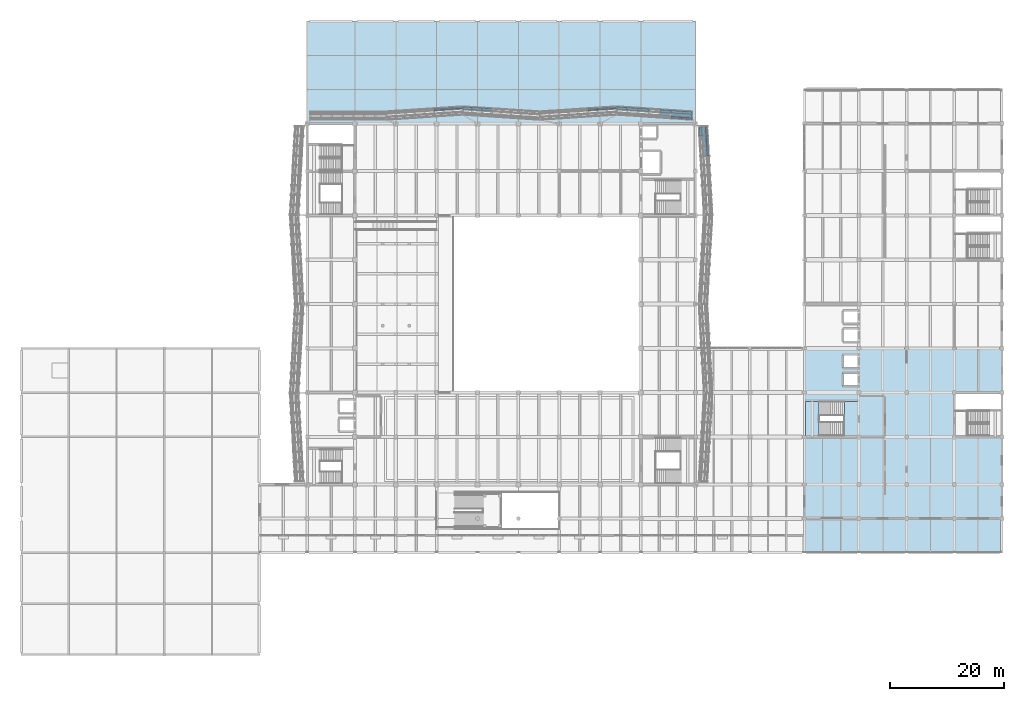
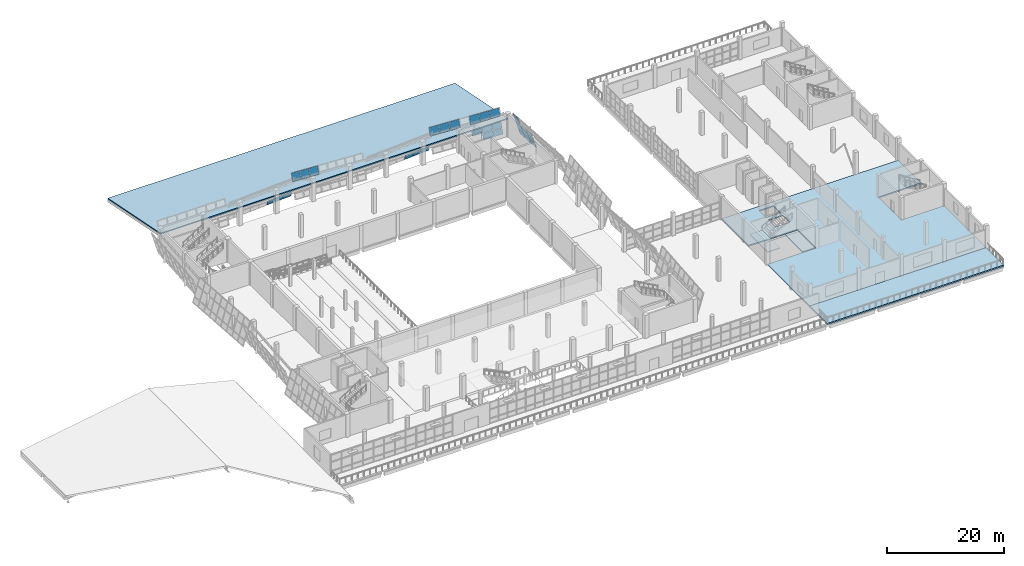
# One storey, part 57 of 79: 27 plates, 5 slabs, 6 elements without a shape of their own.
"""IFC4 building model written with IfcOpenShell, lengths in metres."""

from ifc_helpers import new_model, si_unit, direction, frame, origin, place, context, subcontext, project, spatial, polyline, outline, extrude, material, layer, layer_set, type_object, element, aggregate, save


model = new_model("IFC4")

# Units and contexts
model_context = context("Model", 3, precision=1e-05, world=origin(), true_north=direction((0.0, 1.0)))
body_context = subcontext(model_context, "Body", "Model", "MODEL_VIEW")
ifc_project = project(units=[si_unit("LENGTHUNIT", "METRE"), si_unit("AREAUNIT", "SQUARE_METRE"), si_unit("VOLUMEUNIT", "CUBIC_METRE"), si_unit("PLANEANGLEUNIT", "RADIAN"), si_unit("MASSUNIT", "GRAM", prefix="KILO")], contexts=[model_context])

# Site, building, storey
site_placement = place(None, origin())
site = spatial("IfcSite", under=ifc_project, at=site_placement, CompositionType="ELEMENT")
building_placement = place(site_placement, origin())
building = spatial("IfcBuilding", under=site, at=building_placement, Name="Pellamere Symphony Hall", CompositionType="ELEMENT")
storey_placement = place(building_placement, frame((0.0, 0.0, 10.199951171875)))
storey = spatial("IfcBuildingStorey", under=building, at=storey_placement, Name="L02", CompositionType="ELEMENT", Elevation=10.199951171875)

# Curtain wall, plates
ifc_material_1 = material(Name="Thermally Broken Anodised Aluminium 6063-T6 Curtain Wall", Category="aluminium")
curtain_wall_type = type_object("IfcCurtainWallType", Name="Curtain Wall CW-01 (Tilted Faceted Crystal Low-Iron Curtain Wall)", PredefinedType="NOTDEFINED", material=ifc_material_1)
curtain_wall_1_placement = place(storey_placement, origin())
curtain_wall_1 = element("IfcCurtainWall", 1, at=curtain_wall_1_placement, inside=storey, type_object=curtain_wall_type, Name="Crystal Faceted Curtain Wall CW-CR09 (L02)", PredefinedType="NOTDEFINED")
ifc_material_2 = material(Name="Triple Laminated Acoustic Crystal Glazing 42mm", Category="glass")
ifc_layer_1 = layer(ifc_material_2, 0.0419921875, Name="Triple Laminated Acoustic Crystal Glazing 42mm")
ifc_layer_set_1 = layer_set([ifc_layer_1], Name="Triple Laminated Acoustic Crystal Glazing 42mm")
plate_type = type_object("IfcPlateType", Name="Facade Panel GL-02 42mm", PredefinedType="CURTAIN_PANEL", material=ifc_layer_set_1)
plate_1_placement = place(storey_placement, frame((121.1484375, 87.9375, 0.072021484375), z_axis=(0.957349655397, 0.055245262022, 0.283601125412), x_axis=(-0.057610619545, 0.998339129012, 0.0)))
plate_1 = element("IfcPlate", 2, at=plate_1_placement, type_object=plate_type, Name="CW1-019 crystal glass panel 7.1", PredefinedType="CURTAIN_PANEL", context=body_context, shape_type="SweptSolid", body=[
    extrude(outline(polyline([(0.0, 0.0), (1.6612063149993754, 3.469446951953614e-18), (1.67902678740273, 1.0888970223981924), (0.017820472403354506, 1.0888970223981924), (0.0, 0.0)])), origin(), (0.0, 0.0, -1.0), 0.0419921875),
])
plate_2_placement = place(storey_placement, frame((120.81787109375, 87.9375, 1.18798828125), z_axis=(0.957347197893, 0.055245120208, 0.283609448679), x_axis=(-0.057610619545, 0.998339129012, 0.0)))
plate_2 = element("IfcPlate", 3, at=plate_2_placement, type_object=plate_type, Name="CW1-019 crystal glass panel 7.2", PredefinedType="CURTAIN_PANEL", context=body_context, shape_type="SweptSolid", body=[
    extrude(outline(polyline([(0.0, 0.0), (1.6612063149993754, 6.938893903907228e-18), (1.6943858685901516, 2.0273344043651265), (0.03317955359077607, 2.0273344043651265), (0.0, 0.0)])), origin(), (0.0, 0.0, -1.0), 0.0419921875),
])
plate_3_placement = place(storey_placement, frame((121.04833984375, 89.670654296875, 0.072021484375), z_axis=(0.957350085432, 0.055237155356, 0.283601252804), x_axis=(-0.057602168051, 0.998339616682, 0.0)))
plate_3 = element("IfcPlate", 4, at=plate_3_placement, type_object=plate_type, Name="CW1-019 crystal glass panel 8.1", PredefinedType="CURTAIN_PANEL", context=body_context, shape_type="SweptSolid", body=[
    extrude(outline(polyline([(0.0, 0.0), (1.6614500501978287, 3.469446951953614e-18), (1.6792679083327753, 1.088897065179171), (0.017817858134946473, 1.088897065179171), (0.0, 0.0)])), origin(), (0.0, 0.0, -1.0), 0.0419921875),
])
plate_4_placement = place(storey_placement, frame((120.7177734375, 89.670654296875, 1.18798828125), z_axis=(0.957347627924, 0.055237013563, 0.283609576073), x_axis=(-0.057602168051, 0.998339616682, 0.0)))
plate_4 = element("IfcPlate", 5, at=plate_4_placement, type_object=plate_type, Name="CW1-019 crystal glass panel 8.2", PredefinedType="CURTAIN_PANEL", context=body_context, shape_type="SweptSolid", body=[
    extrude(outline(polyline([(0.0, 0.0), (1.6614500501978287, 0.0), (1.6946247363385853, 2.027334484020446), (0.03317468614075669, 2.027334484020446), (0.0, 0.0)])), origin(), (0.0, 0.0, -1.0), 0.0419921875),
])
plate_5_placement = place(storey_placement, frame((120.9482421875, 91.404052734375, 0.072021484375), z_axis=(0.957411713327, 0.05522419973, 0.283395657955), x_axis=(-0.057585007883, 0.99834060664, 0.0)))
plate_5 = element("IfcPlate", 6, at=plate_5_placement, type_object=plate_type, Name="CW1-019 crystal glass panel 9.1", PredefinedType="CURTAIN_PANEL", context=body_context, shape_type="SweptSolid", body=[
    extrude(outline(polyline([(0.0, 0.0), (1.6237882534451713, 0.0), (1.6415867446512034, 1.0888280533536514), (0.01779849120603195, 1.0888280533536514), (0.0, 0.0)])), origin(), (0.0, 0.0, -1.0), 0.0419921875),
])
plate_6_placement = place(storey_placement, frame((120.61767578125, 91.404052734375, 1.18798828125), z_axis=(0.957381138224, 0.055222436136, 0.283499274637), x_axis=(-0.057585007883, 0.99834060664, 0.0)))
plate_6 = element("IfcPlate", 7, at=plate_6_placement, type_object=plate_type, Name="CW1-019 crystal glass panel 9.2", PredefinedType="CURTAIN_PANEL", context=body_context, shape_type="SweptSolid", body=[
    extrude(outline(polyline([(0.0, 0.0), (1.6237882534451713, 0.0), (1.656938997729392, 2.027265533407744), (0.03315074428422065, 2.027265533407744), (0.0, 0.0)])), origin(), (0.0, 0.0, -1.0), 0.0419921875),
])
plate_7_placement = place(storey_placement, frame((120.0205078125, 91.404052734375, 3.2041015625), z_axis=(0.95735525195, 0.055220942996, 0.283586969057), x_axis=(-0.057585007883, 0.99834060664, 0.0)))
plate_7 = element("IfcPlate", 8, at=plate_7_placement, type_object=plate_type, Name="CW1-019 crystal glass panel 9.3", PredefinedType="CURTAIN_PANEL", context=body_context, shape_type="SweptSolid", body=[
    extrude(outline(polyline([(0.0, 0.0), (1.6237882534451713, 0.0), (1.6497830482634597, 1.5891665981147254), (0.02599479481828837, 1.5891665981147254), (0.0, 0.0)])), origin(), (0.0, 0.0, -1.0), 0.0419921875),
])
aggregate(curtain_wall_1, [plate_1, plate_2, plate_3, plate_4, plate_5, plate_6, plate_7])

curtain_wall_2_placement = place(storey_placement, origin())
curtain_wall_2 = element("IfcCurtainWall", 9, at=curtain_wall_2_placement, inside=storey, type_object=curtain_wall_type, Name="Crystal Faceted Curtain Wall CW-CR10 (L02)", PredefinedType="NOTDEFINED")
plate_8_placement = place(storey_placement, frame((118.22509765625, 94.2763671875, 0.072021484375), z_axis=(-0.064236039573, -0.956864193918, 0.283345452793), x_axis=(-0.997753884036, 0.066986465456, 1.8324957e-05)))
plate_8 = element("IfcPlate", 10, at=plate_8_placement, type_object=plate_type, Name="CW1-022 crystal glass panel 1.1", PredefinedType="CURTAIN_PANEL", context=body_context, shape_type="SweptSolid", body=[
    extrude(outline(polyline([(0.0, 0.0), (1.8060660900731282, -6.938893903907228e-18), (1.826789537609594, -1.0887763044528362), (0.02073980165400872, -1.0888453249237655), (0.0, 0.0)])), origin(), (0.0, 0.0, -1.0), 0.0419921875),
])
plate_9_placement = place(storey_placement, frame((118.22509765625, 94.60693359375, 1.18798828125), z_axis=(-0.064234932382, -0.956847701126, 0.283401394337), x_axis=(-0.997753883893, 0.066986467589, 1.8328259e-05)))
plate_9 = element("IfcPlate", 11, at=plate_9_placement, type_object=plate_type, Name="CW1-022 crystal glass panel 1.2", PredefinedType="CURTAIN_PANEL", context=body_context, shape_type="SweptSolid", body=[
    extrude(outline(polyline([(0.0, 0.0), (1.8060660900732584, -6.938893903907228e-18), (1.8446647322861283, -2.027169121204749), (0.03861499633093357, -2.0272381553025483), (0.0, 0.0)])), origin(), (0.0, 0.0, -1.0), 0.0419921875),
])
plate_10_placement = place(storey_placement, frame((118.22509765625, 95.2041015625, 3.2041015625), z_axis=(-0.064298840849, -0.956834161913, 0.283432612204), x_axis=(-0.997749727577, 0.067048349123, 0.0)))
plate_10 = element("IfcPlate", 12, at=plate_10_placement, type_object=plate_type, Name="CW1-022 crystal glass panel 1.3", PredefinedType="CURTAIN_PANEL", context=body_context, shape_type="SweptSolid", body=[
    extrude(outline(polyline([(0.0, 0.0), (1.806066093850216, 0.0), (1.836332792465634, -1.5890909769034924), (0.030266698615418062, -1.5890909769034924), (0.0, 0.0)])), origin(), (0.0, 0.0, -1.0), 0.0419921875),
])
plate_11_placement = place(storey_placement, frame((116.348388671875, 94.40234375, 0.072021484375), z_axis=(-0.064254451897, -0.956832598898, 0.283447954829), x_axis=(-0.997752815695, 0.067002378864, 0.0)))
plate_11 = element("IfcPlate", 13, at=plate_11_placement, type_object=plate_type, Name="CW1-022 crystal glass panel 2.1", PredefinedType="CURTAIN_PANEL", context=body_context, shape_type="SweptSolid", body=[
    extrude(outline(polyline([(0.0, 0.0), (1.8437428393467363, 0.0), (1.8644684287073066, -1.0888456018049508), (0.020725589360570347, -1.0888456018049508), (0.0, 0.0)])), origin(), (0.0, 0.0, -1.0), 0.0419921875),
])
plate_12_placement = place(storey_placement, frame((116.348388671875, 94.73291015625, 1.18798828125), z_axis=(-0.064254287135, -0.956830145374, 0.283456274386), x_axis=(-0.997752815695, 0.067002378864, 0.0)))
plate_12 = element("IfcPlate", 14, at=plate_12_placement, type_object=plate_type, Name="CW1-022 crystal glass panel 2.2", PredefinedType="CURTAIN_PANEL", context=body_context, shape_type="SweptSolid", body=[
    extrude(outline(polyline([(0.0, 0.0), (1.8437428393467363, 0.0), (1.8823313676037097, -2.0272386626606025), (0.03858852825697352, -2.0272386626606025), (0.0, 0.0)])), origin(), (0.0, 0.0, -1.0), 0.0419921875),
])
plate_13_placement = place(storey_placement, frame((116.348388671875, 95.330078125, 3.2041015625), z_axis=(-0.064254739755, -0.956836885485, 0.283433418978), x_axis=(-0.997752815695, 0.067002378864, 0.0)))
plate_13 = element("IfcPlate", 15, at=plate_13_placement, type_object=plate_type, Name="CW1-022 crystal glass panel 2.3", PredefinedType="CURTAIN_PANEL", context=body_context, shape_type="SweptSolid", body=[
    extrude(outline(polyline([(0.0, 0.0), (1.8437428393467363, 0.0), (1.873988786250994, -1.589091372016423), (0.030245946904257755, -1.589091372016423), (0.0, 0.0)])), origin(), (0.0, 0.0, -1.0), 0.0419921875),
])
plate_14_placement = place(storey_placement, frame((114.43408203125, 94.861572265625, 1.18798828125), z_axis=(-0.064254287135, -0.956830145374, 0.283456274386), x_axis=(-0.997752815695, 0.067002378864, 0.0)))
plate_14 = element("IfcPlate", 16, at=plate_14_placement, type_object=plate_type, Name="CW1-022 crystal glass panel 3.2", PredefinedType="CURTAIN_PANEL", context=body_context, shape_type="SweptSolid", body=[
    extrude(outline(polyline([(0.0, 0.0), (1.8437428393467363, 0.0), (1.8823313676037097, -2.0272386626606025), (0.03858852825697352, -2.0272386626606025), (0.0, 0.0)])), origin(), (0.0, 0.0, -1.0), 0.0419921875),
])
plate_15_placement = place(storey_placement, frame((114.43408203125, 95.458740234375, 3.2041015625), z_axis=(-0.064254739755, -0.956836885485, 0.283433418978), x_axis=(-0.997752815695, 0.067002378864, 0.0)))
plate_15 = element("IfcPlate", 17, at=plate_15_placement, type_object=plate_type, Name="CW1-022 crystal glass panel 3.3", PredefinedType="CURTAIN_PANEL", context=body_context, shape_type="SweptSolid", body=[
    extrude(outline(polyline([(0.0, 0.0), (1.8437428393467363, 0.0), (1.873988786250994, -1.589091372016423), (0.030245946904257755, -1.589091372016423), (0.0, 0.0)])), origin(), (0.0, 0.0, -1.0), 0.0419921875),
])
plate_16_placement = place(storey_placement, frame((110.60546875, 95.7158203125, 3.2041015625), z_axis=(-0.064254739755, -0.956836885485, 0.283433418978), x_axis=(-0.997752815695, 0.067002378864, 0.0)))
plate_16 = element("IfcPlate", 18, at=plate_16_placement, type_object=plate_type, Name="CW1-022 crystal glass panel 5.3", PredefinedType="CURTAIN_PANEL", context=body_context, shape_type="SweptSolid", body=[
    extrude(outline(polyline([(0.0, 0.0), (1.8437428393467363, 0.0), (1.873988786250994, -1.589091372016423), (0.030245946904257755, -1.589091372016423), (0.0, 0.0)])), origin(), (0.0, 0.0, -1.0), 0.0419921875),
])
plate_17_placement = place(storey_placement, frame((108.691162109375, 95.844482421875, 3.2041015625), z_axis=(-0.064263233172, -0.956836361099, 0.283433263645), x_axis=(-0.99775222112, 0.067011232265, 0.0)))
plate_17 = element("IfcPlate", 19, at=plate_17_placement, type_object=plate_type, Name="CW1-022 crystal glass panel 6.3", PredefinedType="CURTAIN_PANEL", context=body_context, shape_type="SweptSolid", body=[
    extrude(outline(polyline([(0.0, 0.0), (1.843499247423292, -6.938893903907228e-18), (1.8737491908946182, -1.589091295942796), (0.03024994347132611, -1.589091295942796), (0.0, 0.0)])), origin(), (0.0, 0.0, -1.0), 0.0419921875),
])
plate_18_placement = place(storey_placement, frame((106.77685546875, 95.972900390625, 3.2041015625), z_axis=(-0.064232895485, -0.956817359389, 0.283504278467), x_axis=(-0.99775388363, 0.066986471514, 1.8334332e-05)))
plate_18 = element("IfcPlate", 20, at=plate_18_placement, type_object=plate_type, Name="CW1-022 crystal glass panel 7.3", PredefinedType="CURTAIN_PANEL", context=body_context, shape_type="SweptSolid", body=[
    extrude(outline(polyline([(0.0, 0.0), (1.806066090073498, 0.0), (1.836332796305644, -1.5890909724660276), (0.030283060351167814, -1.5891600316255), (0.0, 0.0)])), origin(), (0.0, 0.0, -1.0), 0.0419921875),
])
aggregate(curtain_wall_2, [plate_8, plate_9, plate_10, plate_11, plate_12, plate_13, plate_14, plate_15, plate_16, plate_17, plate_18])

curtain_wall_3_placement = place(storey_placement, origin())
curtain_wall_3 = element("IfcCurtainWall", 21, at=curtain_wall_3_placement, inside=storey, type_object=curtain_wall_type, Name="Crystal Faceted Curtain Wall CW-CR11 (L02)", PredefinedType="NOTDEFINED")
plate_19_placement = place(storey_placement, frame((104.8251953125, 96.54541015625, 0.072021484375), z_axis=(-0.063846922355, 0.956888137129, 0.283352542828), x_axis=(-0.99778180489, -0.06656928263, -2.0965323e-05)))
plate_19 = element("IfcPlate", 22, at=plate_19_placement, type_object=plate_type, Name="CW1-025 crystal glass panel 1.1", PredefinedType="CURTAIN_PANEL", context=body_context, shape_type="SweptSolid", body=[
    extrude(outline(polyline([(0.0, 0.0), (1.5786896964561843, 0.0), (1.5992594260471225, 1.0888485510872763), (0.02055347732467092, 1.0887795263435813), (0.0, 0.0)])), origin(), (0.0, 0.0, -1.0), 0.0419921875),
])
plate_20_placement = place(storey_placement, frame((103.175048828125, 96.435546875, 0.072021484375), z_axis=(-0.063816811186, 0.956889983844, 0.283353089675), x_axis=(-0.997783083588, -0.066550114099, 2.0479591e-05)))
plate_20 = element("IfcPlate", 23, at=plate_20_placement, type_object=plate_type, Name="CW1-025 crystal glass panel 2.1", PredefinedType="CURTAIN_PANEL", context=body_context, shape_type="SweptSolid", body=[
    extrude(outline(polyline([(0.0, 0.0), (1.6161391277868986, -3.469446951953614e-18), (1.636729956805199, 1.0887788205946034), (0.020607076604750436, 1.0888478449140901), (0.0, 0.0)])), origin(), (0.0, 0.0, -1.0), 0.0419921875),
])
plate_21_placement = place(storey_placement, frame((101.487548828125, 96.322998046875, 0.072021484375), z_axis=(-0.063742648054, 0.95686406908, 0.28345727742), x_axis=(-0.997788498757, -0.06646887804, 0.0)))
plate_21 = element("IfcPlate", 24, at=plate_21_placement, type_object=plate_type, Name="CW1-025 crystal glass panel 3.1", PredefinedType="CURTAIN_PANEL", context=body_context, shape_type="SweptSolid", body=[
    extrude(outline(polyline([(0.0, 0.0), (1.616122885895694, -3.469446951953614e-18), (1.636683449488585, 1.0888487304713506), (0.020560563592890893, 1.0888487304713506), (0.0, 0.0)])), origin(), (0.0, 0.0, -1.0), 0.0419921875),
])
aggregate(curtain_wall_3, [plate_19, plate_20, plate_21])

curtain_wall_4_placement = place(storey_placement, origin())
curtain_wall_4 = element("IfcCurtainWall", 25, at=curtain_wall_4_placement, inside=storey, type_object=curtain_wall_type, Name="Crystal Faceted Curtain Wall CW-CR12 (L02)", PredefinedType="NOTDEFINED")
plate_22_placement = place(storey_placement, frame((82.862548828125, 95.763916015625, 3.2041015625), z_axis=(-0.063317224141, -0.956873464491, 0.283520902367), x_axis=(-0.997817469105, 0.066032552094, 2.0332003e-05)))
plate_22 = element("IfcPlate", 26, at=plate_22_placement, type_object=plate_type, Name="CW1-028 crystal glass panel 6.3", PredefinedType="CURTAIN_PANEL", context=body_context, shape_type="SweptSolid", body=[
    extrude(outline(polyline([(0.0, 0.0), (1.6288064568612357, -3.469446951953614e-18), (1.6586455928927317, -1.5890990586613731), (0.029855257260034525, -1.5891681262448383), (0.0, 0.0)])), origin(), (0.0, 0.0, -1.0), 0.0419921875),
])
plate_23_placement = place(storey_placement, frame((81.16259765625, 95.87646484375, 3.2041015625), z_axis=(-0.06339018261, -0.956889899403, 0.283449122717), x_axis=(-0.9978129259, 0.066101171747, 0.0)))
plate_23 = element("IfcPlate", 27, at=plate_23_placement, type_object=plate_type, Name="CW1-028 crystal glass panel 7.3", PredefinedType="CURTAIN_PANEL", context=body_context, shape_type="SweptSolid", body=[
    extrude(outline(polyline([(0.0, 0.0), (1.6288064610494575, 3.469446951953614e-18), (1.6586455886277836, -1.5890990631129758), (0.029839127578326036, -1.5890990631129758), (0.0, 0.0)])), origin(), (0.0, 0.0, -1.0), 0.0419921875),
])
plate_24_placement = place(storey_placement, frame((79.462646484375, 95.989013671875, 3.2041015625), z_axis=(-0.063335416663, -0.956872357673, 0.283520574418), x_axis=(-0.997817017282, 0.06603937908, -2.0810427e-05)))
plate_24 = element("IfcPlate", 28, at=plate_24_placement, type_object=plate_type, Name="CW1-028 crystal glass panel 8.3", PredefinedType="CURTAIN_PANEL", context=body_context, shape_type="SweptSolid", body=[
    extrude(outline(polyline([(0.0, 0.0), (1.5913571321794133, -1.0408340855860843e-17), (1.6211527749069887, -1.589169245087846), (0.029779519832292184, -1.5891001769794622), (0.0, 0.0)])), origin(), (0.0, 0.0, -1.0), 0.0419921875),
])
aggregate(curtain_wall_4, [plate_22, plate_23, plate_24])

curtain_wall_5_placement = place(storey_placement, origin())
curtain_wall_5 = element("IfcCurtainWall", 29, at=curtain_wall_5_placement, inside=storey, type_object=curtain_wall_type, Name="Crystal Faceted Curtain Wall CW-CR13 (L02)", PredefinedType="NOTDEFINED")
plate_25_placement = place(storey_placement, frame((77.72509765625, 96.54541015625, 0.072021484375), z_axis=(-0.063846922355, 0.956888137129, 0.283352542828), x_axis=(-0.99778180489, -0.06656928263, -2.0965323e-05)))
plate_25 = element("IfcPlate", 30, at=plate_25_placement, type_object=plate_type, Name="CW1-031 crystal glass panel 1.1", PredefinedType="CURTAIN_PANEL", context=body_context, shape_type="SweptSolid", body=[
    extrude(outline(polyline([(0.0, 0.0), (1.5786896964561843, 0.0), (1.5992594260471225, 1.0888485510872763), (0.02055347732467092, 1.0887795263435813), (0.0, 0.0)])), origin(), (0.0, 0.0, -1.0), 0.0419921875),
])
plate_26_placement = place(storey_placement, frame((76.0751953125, 96.435546875, 0.072021484375), z_axis=(-0.063807190088, 0.956890573721, 0.283353264348), x_axis=(-0.99778375249, -0.066540084522, 2.047653e-05)))
plate_26 = element("IfcPlate", 31, at=plate_26_placement, type_object=plate_type, Name="CW1-031 crystal glass panel 2.1", PredefinedType="CURTAIN_PANEL", context=body_context, shape_type="SweptSolid", body=[
    extrude(outline(polyline([(0.0, 0.0), (1.6163827261282855, -6.938893903907228e-18), (1.6369704519880959, 1.0887788792766606), (0.02060397099763312, 1.088847903685067), (0.0, 0.0)])), origin(), (0.0, 0.0, -1.0), 0.0419921875),
])
plate_27_placement = place(storey_placement, frame((74.3876953125, 96.322998046875, 0.072021484375), z_axis=(-0.063733038046, 0.956864657571, 0.283457451752), x_axis=(-0.997789166031, -0.066458860589, 0.0)))
plate_27 = element("IfcPlate", 32, at=plate_27_placement, type_object=plate_type, Name="CW1-031 crystal glass panel 3.1", PredefinedType="CURTAIN_PANEL", context=body_context, shape_type="SweptSolid", body=[
    extrude(outline(polyline([(0.0, 0.0), (1.616366486684859, 0.0), (1.6369239516181588, 1.0888487889784533), (0.020557464933299664, 1.0888487889784535), (0.0, 0.0)])), origin(), (0.0, 0.0, -1.0), 0.0419921875),
])
aggregate(curtain_wall_5, [plate_25, plate_26, plate_27])

# Stair, slabs
ifc_material_3 = material(Name="Concrete 40 MPa", Category="concrete")
stair_type = type_object("IfcStairType", Name="Stair ST-A W2400", PredefinedType="HALF_TURN_STAIR", material=ifc_material_3)
stair_placement = place(storey_placement, origin())
stair = element("IfcStair", 33, at=stair_placement, inside=storey, type_object=stair_type, Name="Exit Stair ST02-L02 (L02 to L03)", PredefinedType="HALF_TURN_STAIR")
ifc_layer_2 = layer(ifc_material_3, 0.219970703125, Name="Concrete 40 MPa")
ifc_layer_set_2 = layer_set([ifc_layer_2], Name="Concrete 40 MPa")
slab_type_1 = type_object("IfcSlabType", Name="Stair Landing SL-01 220mm", PredefinedType="LANDING", material=ifc_layer_set_2)
slab_1_placement = place(storey_placement, frame((0.0, 0.0, -0.219970703125)))
slab_1 = element("IfcSlab", 34, at=slab_1_placement, type_object=slab_type_1, Name="Stair ST02-L02 Bottom Landing (L02)", PredefinedType="LANDING", context=body_context, shape_type="SweptSolid", body=[
    extrude(outline(polyline([(145.02490234375, 38.56005859375), (147.43994140625, 38.56005859375), (147.43994140625, 44.639892578125), (145.02490234375, 44.639892578125), (145.02490234375, 38.56005859375)])), origin(), (0.0, 0.0, 1.0), 0.219970703125),
])
slab_2_placement = place(storey_placement, frame((0.0, 0.0, 2.179931640625)))
slab_2 = element("IfcSlab", 35, at=slab_2_placement, type_object=slab_type_1, Name="Stair ST02-L02 Half Landing (L02)", PredefinedType="LANDING", context=body_context, shape_type="SweptSolid", body=[
    extrude(outline(polyline([(138.159912109375, 38.56005859375), (140.574951171875, 38.56005859375), (140.574951171875, 44.639892578125), (138.159912109375, 44.639892578125), (138.159912109375, 38.56005859375)])), origin(), (0.0, 0.0, 1.0), 0.22021484375),
])
aggregate(stair, [slab_1, slab_2])

# Slabs
ifc_layer_3 = layer(ifc_material_3, 0.260009765625, Name="Concrete 40 MPa")
ifc_layer_set_3 = layer_set([ifc_layer_3], Name="Concrete 40 MPa")
slab_type_2 = type_object("IfcSlabType", Name="Structural Slab FS-04 260mm", PredefinedType="FLOOR", material=ifc_layer_set_3)
slab_3_placement = place(storey_placement, frame((0.0, 0.0, -0.260009765625)))
element("IfcSlab", 36, at=slab_3_placement, inside=storey, type_object=slab_type_2, Name="Floor Slab L02-V5A-1", PredefinedType="FLOOR", context=body_context, shape_type="SweptSolid", body=[
    extrude(outline(polyline([(172.800048828125, 24.0), (138.0, 24.0), (138.0, 38.39990234375), (147.60009765625, 38.39990234375), (147.60009765625, 44.800048828125), (138.0, 44.800048828125), (138.0, 54.0), (172.800048828125, 54.0), (172.800048828125, 46.199951171875), (164.39990234375, 46.199951171875), (164.39990234375, 38.39990234375), (172.800048828125, 38.39990234375), (172.800048828125, 24.0)]), holes=[polyline([(147.60009765625, 49.699951171875), (144.75, 49.699951171875), (144.75, 47.300048828125), (147.60009765625, 47.300048828125), (147.60009765625, 49.699951171875)]), polyline([(147.60009765625, 52.89990234375), (144.75, 52.89990234375), (144.75, 50.5), (147.60009765625, 50.5), (147.60009765625, 52.89990234375)])]), origin(), (0.0, 0.0, 1.0), 0.260009765625),
])
ifc_material_4 = material(Name="Precast concrete 40 MPa", Category="concrete")
ifc_layer_4 = layer(ifc_material_4, 0.199951171875, Name="Precast concrete 40 MPa")
ifc_layer_set_4 = layer_set([ifc_layer_4], Name="Precast concrete 40 MPa")
slab_type_3 = type_object("IfcSlabType", Name="Structural Slab RS-03 200mm", PredefinedType="ROOF", material=ifc_layer_set_4)
slab_4_placement = place(storey_placement, frame((50.39990234375, 93.60009765625, 3.60009765625), z_axis=(0.0, 0.196121250506, 0.980579652604), x_axis=(1.0, 0.0, 0.0)))
element("IfcSlab", 37, at=slab_4_placement, inside=storey, type_object=slab_type_3, Name="Orchestra Rehearsal Plinth Sloped Roof", PredefinedType="ROOF", context=body_context, shape_type="SweptSolid", body=[
    extrude(outline(polyline([(0.0, 0.0), (68.400146484375, 0.0), (68.400146484375, 18.356489401150117), (0.0, 18.356489401150117), (0.0, 0.0)])), origin(), (0.0, 0.0, -1.0), 0.199951171875),
])
ifc_layer_5 = layer(ifc_material_3, 0.280029296875, Name="Concrete 40 MPa")
ifc_layer_set_5 = layer_set([ifc_layer_5], Name="Concrete 40 MPa")
slab_type_4 = type_object("IfcSlabType", Name="Structural Slab TS-01 280mm", PredefinedType="ROOF", material=ifc_layer_set_5)
slab_5_placement = place(storey_placement, frame((0.0, 0.0, -0.280029296875)))
element("IfcSlab", 38, at=slab_5_placement, inside=storey, type_object=slab_type_4, Name="South Artists Roof Terrace 1", PredefinedType="ROOF", context=body_context, shape_type="SweptSolid", body=[
    extrude(outline(polyline([(138.0, 18.0), (138.0, 24.0), (172.800048828125, 24.0), (172.800048828125, 18.0), (138.0, 18.0)])), origin(), (0.0, 0.0, 1.0), 0.280029296875),
])

save(model, "model.ifc")
